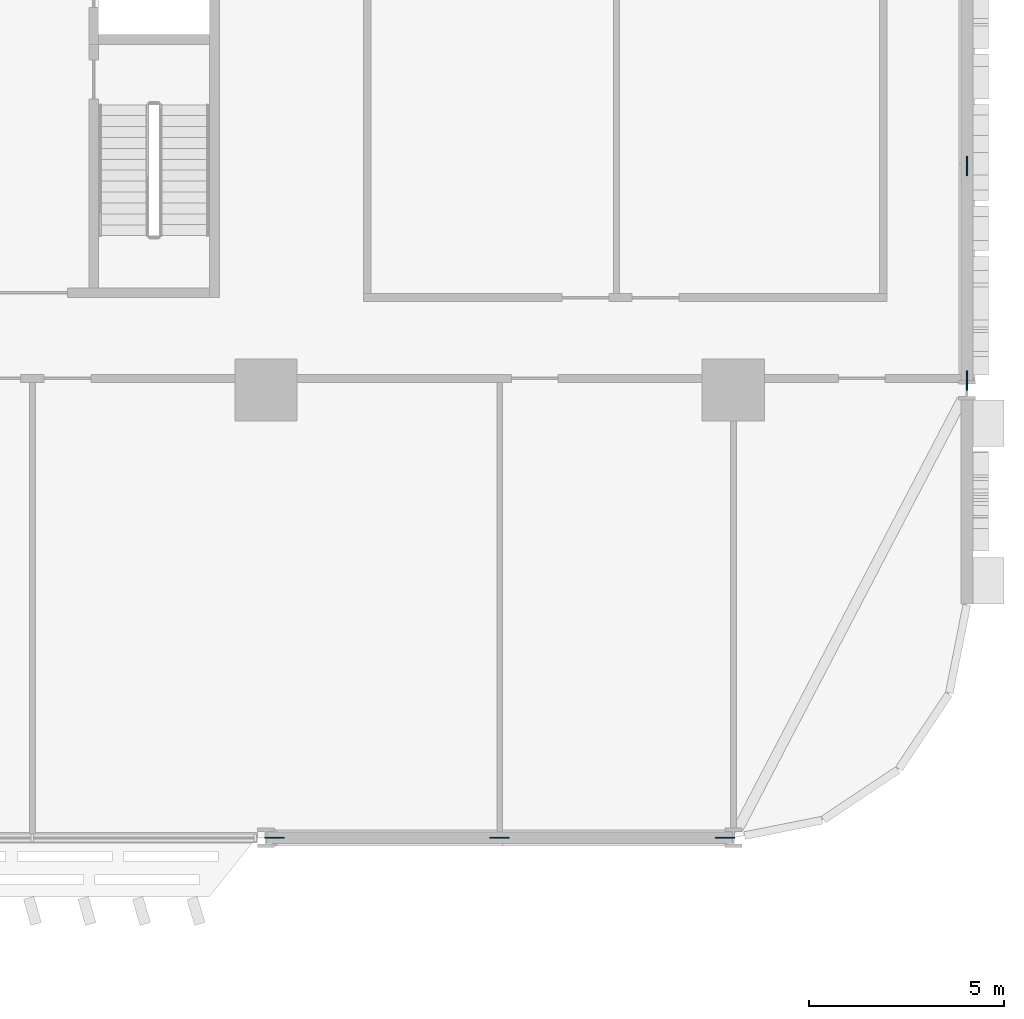
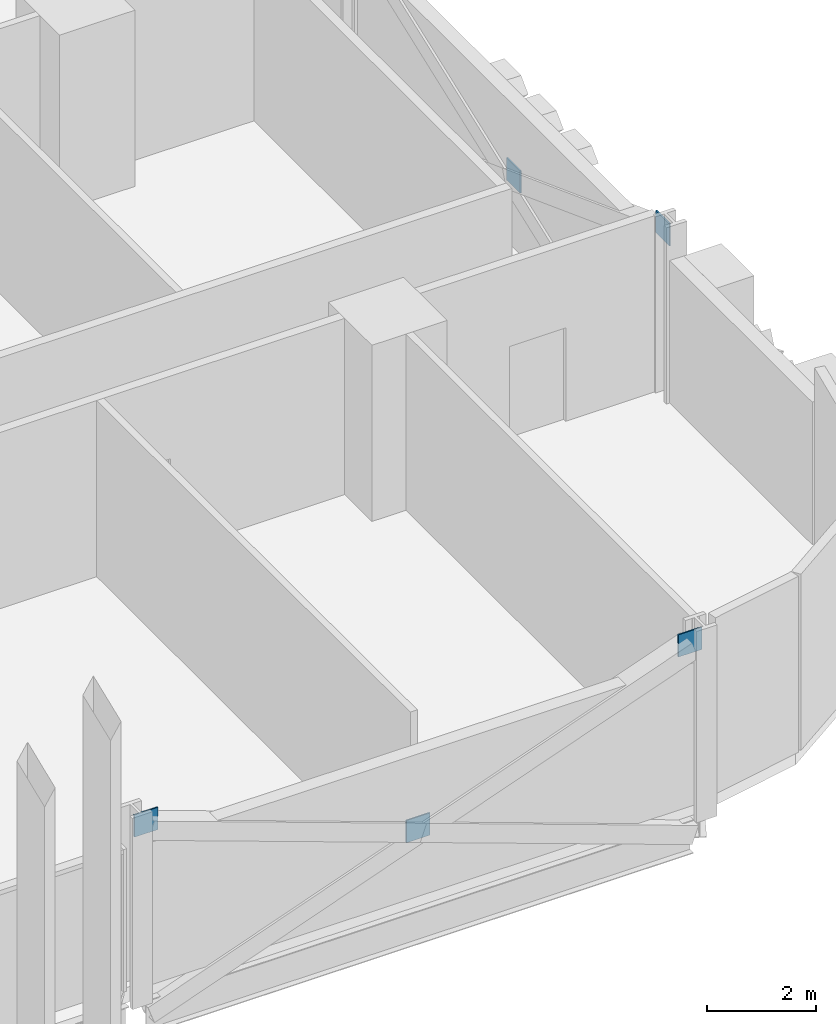
# One storey, part 21 of 31: 5 discrete accessories.
"""IFC4 building model written with IfcOpenShell, lengths in metres."""

from ifc_helpers import new_model, si_unit, direction, frame, origin, origin_2d, place, context, subcontext, project, spatial, rectangle, extrude, material, layer, layer_set, type_object, element, save


model = new_model("IFC4")

# Units and contexts
model_context = context("Model", 3, precision=1e-05, world=origin(), true_north=direction((0.0, 1.0)))
body_context = subcontext(model_context, "Body", "Model", "MODEL_VIEW")
ifc_project = project(units=[si_unit("LENGTHUNIT", "METRE"), si_unit("AREAUNIT", "SQUARE_METRE"), si_unit("VOLUMEUNIT", "CUBIC_METRE"), si_unit("PLANEANGLEUNIT", "RADIAN"), si_unit("MASSUNIT", "GRAM", prefix="KILO")], contexts=[model_context])

# Site, building, storey
site_placement = place(None, origin())
site = spatial("IfcSite", under=ifc_project, at=site_placement, CompositionType="ELEMENT")
building_placement = place(site_placement, origin())
building = spatial("IfcBuilding", under=site, at=building_placement, Name="Mahtab Terrace Research Tower", CompositionType="ELEMENT")
storey_placement = place(building_placement, frame((0.0, 0.0, 11.5)))
storey = spatial("IfcBuildingStorey", under=building, at=storey_placement, Name="L02", CompositionType="ELEMENT", Elevation=11.5)

# Discrete accessories
ifc_material = material(Name="Steel ASTM A992 Gr 50", Category="steel")
ifc_layer = layer(ifc_material, 0.030029296875)
ifc_layer_set = layer_set([ifc_layer], Name="Gusset plate 500x500x30")
discrete_accessory_type = type_object("IfcDiscreteAccessoryType", Name="Gusset plate 500x500x30", PredefinedType="USERDEFINED", material=ifc_layer_set)
for number, where, z_axis, x_axis, name in (
    (1, (30.2158203125, -23.0, 3.33154296875), (0.0, 0.0, 1.0), (1.0, 0.0, 0.0), "Gusset plate"),
    (2, (36.0, -23.0, 1.181640625), (0.0, 0.0, 1.0), (1.0, 0.0, 0.0), "Gusset plate"),
    (3, (41.7841796875, -23.0, 3.33154296875), (0.0, 0.0, 1.0), (1.0, 0.0, 0.0), "Gusset plate"),
    (4, (48.0, -11.251220703125, 3.33154296875), (0.0, 0.0, 1.0), (0.0, 1.0, 0.0), "Gusset plate"),
    (5, (48.0, -5.75, 1.181396484375), (0.0, 0.0, 1.0), (0.0, 1.0, 0.0), "Gusset plate"),
):
    element("IfcDiscreteAccessory", number, at=place(storey_placement, frame(where, z_axis=z_axis, x_axis=x_axis)), inside=storey, type_object=discrete_accessory_type, Name=name, ObjectType="GUSSET PLATE", PredefinedType="USERDEFINED", context=body_context, shape_type="SweptSolid", body=[
        extrude(rectangle(XDim=0.5, YDim=0.030029296875, at=origin_2d()), origin(), (0.0, 0.0, 1.0), 0.5),
    ])

save(model, "model.ifc")
